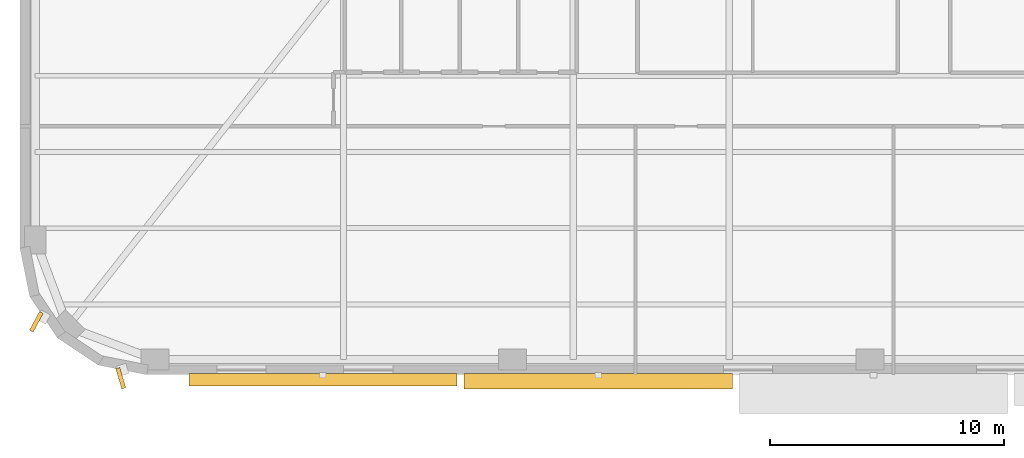
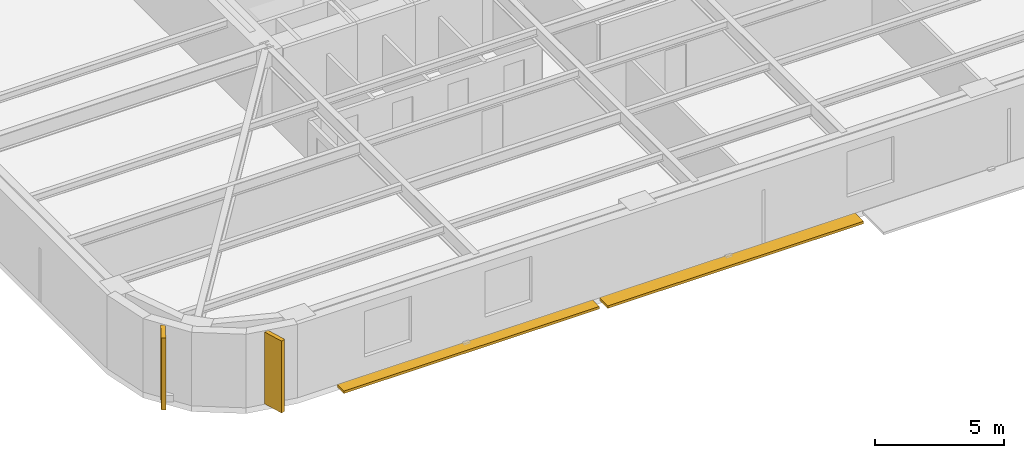
# One storey, part 9 of 15: 4 shading devices.
"""IFC4 building model written with IfcOpenShell, lengths in metres."""

from ifc_helpers import new_model, si_unit, direction, frame, origin, origin_2d, place, context, subcontext, project, spatial, rectangle, extrude, material, type_object, element, save


model = new_model("IFC4")

# Units and contexts
model_context = context("Model", 3, precision=1e-05, world=origin(), true_north=direction((0.0, 1.0)))
body_context = subcontext(model_context, "Body", "Model", "MODEL_VIEW")
ifc_project = project(units=[si_unit("LENGTHUNIT", "METRE"), si_unit("AREAUNIT", "SQUARE_METRE"), si_unit("VOLUMEUNIT", "CUBIC_METRE"), si_unit("PLANEANGLEUNIT", "RADIAN"), si_unit("MASSUNIT", "GRAM", prefix="KILO")], contexts=[model_context])

# Site, building, storey
site_placement = place(None, origin())
site = spatial("IfcSite", under=ifc_project, at=site_placement, CompositionType="ELEMENT")
building_placement = place(site_placement, origin())
building = spatial("IfcBuilding", under=site, at=building_placement, Name="Kolvaren Arena Tower", CompositionType="ELEMENT")
storey_placement = place(building_placement, frame((0.0, 0.0, 83.25)))
storey = spatial("IfcBuildingStorey", under=building, at=storey_placement, Name="L18", CompositionType="ELEMENT", Elevation=83.25)

# Shading devices
ifc_material_1 = material(Name="Precast architectural concrete C50/60 rib fin", Category="concrete")
shading_device_type_1 = type_object("IfcShadingDeviceType", Name="SHAD-FIN-28", PredefinedType="USERDEFINED", material=ifc_material_1)
for number, where, z_axis, x_axis, name in (
    (1, (1.447021484375, 4.757568359375, 0.02001953125), (0.0, 0.0, 1.0), (-0.473348878368, -0.880875041846, 0.0), "Precast 28-Deg Corner Rib Fin (L18)"),
    (2, (5.04638671875, 2.3525390625, 0.02001953125), (0.0, 0.0, 1.0), (0.288174541455, -0.957577899524, 0.0), "Precast 28-Deg Corner Rib Fin (L18)"),
):
    element("IfcShadingDevice", number, at=place(storey_placement, frame(where, z_axis=z_axis, x_axis=x_axis)), inside=storey, type_object=shading_device_type_1, Name=name, ObjectType="FIN", PredefinedType="USERDEFINED", context=body_context, shape_type="SweptSolid", body=[
        extrude(rectangle(XDim=0.89990234375, YDim=0.179931640625, at=origin_2d()), origin(), (0.0, 0.0, 1.0), 3.39990234375),
    ])
ifc_material_2 = material(Name="Architectural precast GFRC and anodised aluminium sunshade", Category="concrete")
shading_device_type_2 = type_object("IfcShadingDeviceType", Name="SHAD-SINE-A", PredefinedType="USERDEFINED", material=ifc_material_2)
shading_device_1_placement = place(storey_placement, frame((25.409912109375, 2.220947265625, -0.14013671875), z_axis=(0.0, 0.0, 1.0), x_axis=(-1.0, 0.0, 0.0)))
element("IfcShadingDevice", 3, at=shading_device_1_placement, inside=storey, type_object=shading_device_type_2, Name="Sinusoidal Slab-Edge Sunshade Louvre (L18)", ObjectType="LOUVRE", PredefinedType="USERDEFINED", context=body_context, shape_type="SweptSolid", body=[
    extrude(rectangle(XDim=11.43994140625, YDim=0.658203125, at=origin_2d()), origin(), (0.0, 0.0, 1.0), 0.1201171875),
])
shading_device_2_placement = place(storey_placement, frame((13.669921875, 2.286376953125, -0.14013671875), z_axis=(0.0, 0.0, 1.0), x_axis=(-1.0, 0.0, 0.0)))
element("IfcShadingDevice", 4, at=shading_device_2_placement, inside=storey, type_object=shading_device_type_2, Name="Sinusoidal Slab-Edge Sunshade Louvre (L18)", ObjectType="LOUVRE", PredefinedType="USERDEFINED", context=body_context, shape_type="SweptSolid", body=[
    extrude(rectangle(XDim=11.43994140625, YDim=0.52734375, at=origin_2d()), origin(), (0.0, 0.0, 1.0), 0.1201171875),
])

save(model, "model.ifc")
